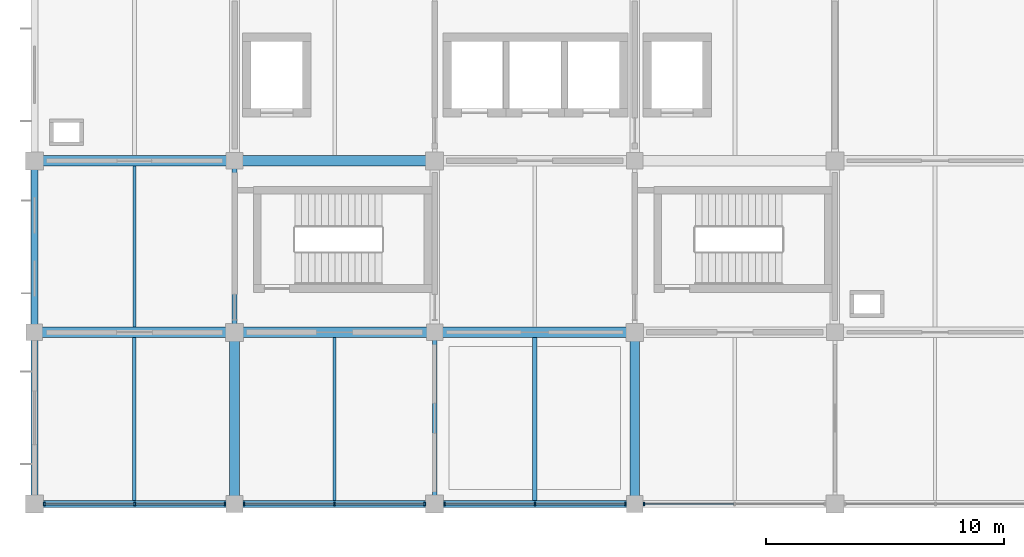
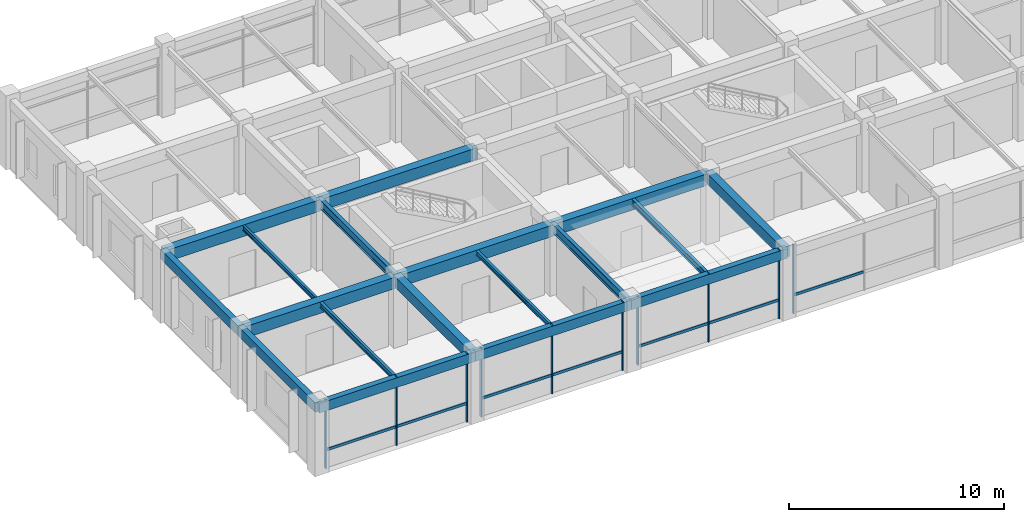
# One storey, part 2 of 13: 18 beams, 17 members, 4 elements without a shape of their own.
"""IFC4 building model written with IfcOpenShell, lengths in metres."""

from ifc_helpers import new_model, si_unit, derived_unit, direction, frame, origin, origin_2d, place, context, subcontext, project, spatial, rectangle, i_section, extrude, material, material_profile, profile_set, type_object, element, aggregate, save


model = new_model("IFC4")

# Units and contexts
model_context = context("Model", 3, precision=1e-05, world=origin(), true_north=direction((0.0, 1.0)))
body_context = subcontext(model_context, "Body", "Model", "MODEL_VIEW")
ifc_project = project(units=[si_unit("LENGTHUNIT", "METRE"), si_unit("AREAUNIT", "SQUARE_METRE"), si_unit("VOLUMEUNIT", "CUBIC_METRE"), si_unit("PLANEANGLEUNIT", "RADIAN"), si_unit("MASSUNIT", "GRAM", prefix="KILO"), derived_unit("THERMALTRANSMITTANCEUNIT", [(si_unit("MASSUNIT", "GRAM", prefix="KILO"), 1), (si_unit("TIMEUNIT", "SECOND"), -3), (si_unit("THERMODYNAMICTEMPERATUREUNIT", "KELVIN"), -1)])], contexts=[model_context])

# Site, building, storey
site_placement = place(None, origin())
site = spatial("IfcSite", under=ifc_project, at=site_placement, CompositionType="ELEMENT")
building_placement = place(site_placement, origin())
building = spatial("IfcBuilding", under=site, at=building_placement, Name="Veldstrom Oceanarium and Marine Research Institute", CompositionType="ELEMENT")
storey_placement = place(building_placement, frame((0.0, 0.0, 31.199951171875)))
storey = spatial("IfcBuildingStorey", under=building, at=storey_placement, Name="L06", CompositionType="ELEMENT", Elevation=31.199951171875)

# Curtain wall, members
ifc_material_1 = material(Name="Anodised Aluminium Framing", Category="aluminium")
curtain_wall_type = type_object("IfcCurtainWallType", Name="ARC-CW-CW04", PredefinedType="USERDEFINED", material=ifc_material_1)
curtain_wall_1_placement = place(storey_placement, origin())
curtain_wall_1 = element("IfcCurtainWall", 1, at=curtain_wall_1_placement, inside=storey, type_object=curtain_wall_type, Name="Curtain Wall CW04 CW-L06-100", ObjectType="Curtain wall", PredefinedType="USERDEFINED")
ifc_material_2 = material(Name="Anodised Aluminium Framing", Category="aluminium")
ifc_material_profile_1 = material_profile(ifc_material_2, rectangle(XDim=0.06494140625, YDim=0.14990234375, at=origin_2d()), Name="ALU-MUL-65x150")
ifc_profile_set_1 = profile_set([ifc_material_profile_1], Name="Anodised Aluminium Framing")
member_type_1 = type_object("IfcMemberType", Name="ARC-MUL-ML2", PredefinedType="MULLION", material=ifc_profile_set_1)
member_1_placement = place(storey_placement, frame((67.614990234375, 43.199951171875, 0.0), z_axis=(0.0, 0.0, 1.0), x_axis=(1.0, 0.0, 0.0)))
member_1 = element("IfcMember", 2, at=member_1_placement, type_object=member_type_1, Name="Curtain Wall Mullion CW-L06-100-MUL-1", PredefinedType="MULLION", context=body_context, shape_type="SweptSolid", body=[
    extrude(rectangle(XDim=0.06494140625, YDim=0.14990234375, at=origin_2d()), origin(), (0.0, 0.0, 1.0), 3.920166015625),
])
member_2_placement = place(storey_placement, frame((71.41259765625, 43.199951171875, 0.0), z_axis=(0.0, 0.0, 1.0), x_axis=(1.0, 0.0, 0.0)))
member_2 = element("IfcMember", 3, at=member_2_placement, type_object=member_type_1, Name="Curtain Wall Mullion CW-L06-100-MUL-2", PredefinedType="MULLION", context=body_context, shape_type="SweptSolid", body=[
    extrude(rectangle(XDim=0.06494140625, YDim=0.14990234375, at=origin_2d()), origin(), (0.0, 0.0, 1.0), 3.920166015625),
])
member_3_placement = place(storey_placement, frame((75.2099609375, 43.199951171875, 0.0), z_axis=(0.0, 0.0, 1.0), x_axis=(1.0, 0.0, 0.0)))
member_3 = element("IfcMember", 4, at=member_3_placement, type_object=member_type_1, Name="Curtain Wall Mullion CW-L06-100-MUL-3", PredefinedType="MULLION", context=body_context, shape_type="SweptSolid", body=[
    extrude(rectangle(XDim=0.06494140625, YDim=0.14990234375, at=origin_2d()), origin(), (0.0, 0.0, 1.0), 3.920166015625),
])

curtain_wall_2_placement = place(storey_placement, origin())
curtain_wall_2 = element("IfcCurtainWall", 5, at=curtain_wall_2_placement, inside=storey, type_object=curtain_wall_type, Name="Curtain Wall CW04 CW-L06-102", ObjectType="Curtain wall", PredefinedType="USERDEFINED")
member_4_placement = place(storey_placement, frame((75.989990234375, 43.199951171875, 0.0), z_axis=(0.0, 0.0, 1.0), x_axis=(1.0, 0.0, 0.0)))
member_4 = element("IfcMember", 6, at=member_4_placement, type_object=member_type_1, Name="Curtain Wall Mullion CW-L06-102-MUL-1", PredefinedType="MULLION", context=body_context, shape_type="SweptSolid", body=[
    extrude(rectangle(XDim=0.06494140625, YDim=0.14990234375, at=origin_2d()), origin(), (0.0, 0.0, 1.0), 3.920166015625),
])
member_5_placement = place(storey_placement, frame((79.78759765625, 43.199951171875, 0.0), z_axis=(0.0, 0.0, 1.0), x_axis=(1.0, 0.0, 0.0)))
member_5 = element("IfcMember", 7, at=member_5_placement, type_object=member_type_1, Name="Curtain Wall Mullion CW-L06-102-MUL-2", PredefinedType="MULLION", context=body_context, shape_type="SweptSolid", body=[
    extrude(rectangle(XDim=0.06494140625, YDim=0.14990234375, at=origin_2d()), origin(), (0.0, 0.0, 1.0), 3.920166015625),
])
member_6_placement = place(storey_placement, frame((83.5849609375, 43.199951171875, 0.0), z_axis=(0.0, 0.0, 1.0), x_axis=(1.0, 0.0, 0.0)))
member_6 = element("IfcMember", 8, at=member_6_placement, type_object=member_type_1, Name="Curtain Wall Mullion CW-L06-102-MUL-3", PredefinedType="MULLION", context=body_context, shape_type="SweptSolid", body=[
    extrude(rectangle(XDim=0.06494140625, YDim=0.14990234375, at=origin_2d()), origin(), (0.0, 0.0, 1.0), 3.920166015625),
])

curtain_wall_3_placement = place(storey_placement, origin())
curtain_wall_3 = element("IfcCurtainWall", 9, at=curtain_wall_3_placement, inside=storey, type_object=curtain_wall_type, Name="Curtain Wall CW04 CW-L06-104", ObjectType="Curtain wall", PredefinedType="USERDEFINED")
member_7_placement = place(storey_placement, frame((84.4150390625, 43.199951171875, 0.0), z_axis=(0.0, 0.0, 1.0), x_axis=(1.0, 0.0, 0.0)))
member_7 = element("IfcMember", 10, at=member_7_placement, type_object=member_type_1, Name="Curtain Wall Mullion CW-L06-104-MUL-1", PredefinedType="MULLION", context=body_context, shape_type="SweptSolid", body=[
    extrude(rectangle(XDim=0.06494140625, YDim=0.14990234375, at=origin_2d()), origin(), (0.0, 0.0, 1.0), 3.920166015625),
])
member_8_placement = place(storey_placement, frame((88.21240234375, 43.199951171875, 0.0), z_axis=(0.0, 0.0, 1.0), x_axis=(1.0, 0.0, 0.0)))
member_8 = element("IfcMember", 11, at=member_8_placement, type_object=member_type_1, Name="Curtain Wall Mullion CW-L06-104-MUL-2", PredefinedType="MULLION", context=body_context, shape_type="SweptSolid", body=[
    extrude(rectangle(XDim=0.06494140625, YDim=0.14990234375, at=origin_2d()), origin(), (0.0, 0.0, 1.0), 3.920166015625),
])
member_9_placement = place(storey_placement, frame((92.010009765625, 43.199951171875, 0.0), z_axis=(0.0, 0.0, 1.0), x_axis=(1.0, 0.0, 0.0)))
member_9 = element("IfcMember", 12, at=member_9_placement, type_object=member_type_1, Name="Curtain Wall Mullion CW-L06-104-MUL-3", PredefinedType="MULLION", context=body_context, shape_type="SweptSolid", body=[
    extrude(rectangle(XDim=0.06494140625, YDim=0.14990234375, at=origin_2d()), origin(), (0.0, 0.0, 1.0), 3.920166015625),
])

# Curtain wall, member
curtain_wall_4_placement = place(storey_placement, origin())
curtain_wall_4 = element("IfcCurtainWall", 13, at=curtain_wall_4_placement, inside=storey, type_object=curtain_wall_type, Name="Curtain Wall CW04 CW-L06-106", ObjectType="Curtain wall", PredefinedType="USERDEFINED")
member_10_placement = place(storey_placement, frame((92.7900390625, 43.199951171875, 0.0), z_axis=(0.0, 0.0, 1.0), x_axis=(1.0, 0.0, 0.0)))
member_10 = element("IfcMember", 14, at=member_10_placement, type_object=member_type_1, Name="Curtain Wall Mullion CW-L06-106-MUL-1", PredefinedType="MULLION", context=body_context, shape_type="SweptSolid", body=[
    extrude(rectangle(XDim=0.06494140625, YDim=0.14990234375, at=origin_2d()), origin(), (0.0, 0.0, 1.0), 3.920166015625),
])

# Member
ifc_material_3 = material(Name="Anodised Aluminium Framing", Category="aluminium")
ifc_material_profile_2 = material_profile(ifc_material_3, rectangle(XDim=0.074951171875, YDim=0.14990234375, at=origin_2d()), Name="ALU-TRN-75x150")
ifc_profile_set_2 = profile_set([ifc_material_profile_2], Name="Anodised Aluminium Framing")
member_type_2 = type_object("IfcMemberType", Name="ARC-TRN-TR1", PredefinedType="USERDEFINED", material=ifc_profile_set_2)
member_11_placement = place(storey_placement, frame((67.655029296875, 43.199951171875, 1.050048828125), z_axis=(1.0, 0.0, 0.0), x_axis=(0.0, 1.0, 0.0)))
member_11 = element("IfcMember", 15, at=member_11_placement, type_object=member_type_2, Name="Curtain Wall Transom CW-L06-100-TRN-1", ObjectType="Transom", PredefinedType="USERDEFINED", context=body_context, shape_type="SweptSolid", body=[
    extrude(rectangle(XDim=0.074951171875, YDim=0.14990234375, at=origin_2d()), origin(), (0.0, 0.0, 1.0), 3.717529296875),
])

member_12_placement = place(storey_placement, frame((71.452392578125, 43.199951171875, 1.050048828125), z_axis=(1.0, 0.0, 0.0), x_axis=(0.0, 1.0, 0.0)))
member_12 = element("IfcMember", 16, at=member_12_placement, type_object=member_type_2, Name="Curtain Wall Transom CW-L06-100-TRN-2", ObjectType="Transom", PredefinedType="USERDEFINED", context=body_context, shape_type="SweptSolid", body=[
    extrude(rectangle(XDim=0.074951171875, YDim=0.14990234375, at=origin_2d()), origin(), (0.0, 0.0, 1.0), 3.717529296875),
])

aggregate(curtain_wall_1, [member_1, member_2, member_3, member_11, member_12])

member_13_placement = place(storey_placement, frame((76.030029296875, 43.199951171875, 1.050048828125), z_axis=(1.0, 0.0, 0.0), x_axis=(0.0, 1.0, 0.0)))
member_13 = element("IfcMember", 17, at=member_13_placement, type_object=member_type_2, Name="Curtain Wall Transom CW-L06-102-TRN-1", ObjectType="Transom", PredefinedType="USERDEFINED", context=body_context, shape_type="SweptSolid", body=[
    extrude(rectangle(XDim=0.074951171875, YDim=0.14990234375, at=origin_2d()), origin(), (0.0, 0.0, 1.0), 3.717529296875),
])

member_14_placement = place(storey_placement, frame((79.827392578125, 43.199951171875, 1.050048828125), z_axis=(1.0, 0.0, 0.0), x_axis=(0.0, 1.0, 0.0)))
member_14 = element("IfcMember", 18, at=member_14_placement, type_object=member_type_2, Name="Curtain Wall Transom CW-L06-102-TRN-2", ObjectType="Transom", PredefinedType="USERDEFINED", context=body_context, shape_type="SweptSolid", body=[
    extrude(rectangle(XDim=0.074951171875, YDim=0.14990234375, at=origin_2d()), origin(), (0.0, 0.0, 1.0), 3.717529296875),
])

aggregate(curtain_wall_2, [member_4, member_5, member_6, member_13, member_14])

member_15_placement = place(storey_placement, frame((84.455078125, 43.199951171875, 1.050048828125), z_axis=(1.0, 0.0, 0.0), x_axis=(0.0, 1.0, 0.0)))
member_15 = element("IfcMember", 19, at=member_15_placement, type_object=member_type_2, Name="Curtain Wall Transom CW-L06-104-TRN-1", ObjectType="Transom", PredefinedType="USERDEFINED", context=body_context, shape_type="SweptSolid", body=[
    extrude(rectangle(XDim=0.074951171875, YDim=0.14990234375, at=origin_2d()), origin(), (0.0, 0.0, 1.0), 3.717529296875),
])

member_16_placement = place(storey_placement, frame((88.25244140625, 43.199951171875, 1.050048828125), z_axis=(1.0, 0.0, 0.0), x_axis=(0.0, 1.0, 0.0)))
member_16 = element("IfcMember", 20, at=member_16_placement, type_object=member_type_2, Name="Curtain Wall Transom CW-L06-104-TRN-2", ObjectType="Transom", PredefinedType="USERDEFINED", context=body_context, shape_type="SweptSolid", body=[
    extrude(rectangle(XDim=0.074951171875, YDim=0.14990234375, at=origin_2d()), origin(), (0.0, 0.0, 1.0), 3.717529296875),
])

aggregate(curtain_wall_3, [member_7, member_8, member_9, member_15, member_16])

member_17_placement = place(storey_placement, frame((92.830078125, 43.199951171875, 1.050048828125), z_axis=(1.0, 0.0, 0.0), x_axis=(0.0, 1.0, 0.0)))
member_17 = element("IfcMember", 21, at=member_17_placement, type_object=member_type_2, Name="Curtain Wall Transom CW-L06-106-TRN-1", ObjectType="Transom", PredefinedType="USERDEFINED", context=body_context, shape_type="SweptSolid", body=[
    extrude(rectangle(XDim=0.074951171875, YDim=0.14990234375, at=origin_2d()), origin(), (0.0, 0.0, 1.0), 3.717529296875),
])

aggregate(curtain_wall_4, [member_10, member_17])

# Beams
ifc_material_4 = material(Name="Concrete C40/50", Category="concrete")
ifc_material_profile_3 = material_profile(ifc_material_4, rectangle(XDim=0.449951171875, YDim=0.64990234375, at=origin_2d()), Name="RC-BM-450x650")
ifc_profile_set_3 = profile_set([ifc_material_profile_3], Name="Concrete C40/50")
beam_type_1 = type_object("IfcBeamType", Name="STR-BM-B05", PredefinedType="BEAM", material=ifc_profile_set_3)
for number, where, z_axis, x_axis, name in (
    (22, (67.199951171875, 50.39990234375, 3.590087890625), (1.0, 0.0, 0.0), (0.0, 1.0, 0.0), "Primary Beam B05 L06-2254"),
    (23, (67.199951171875, 57.60009765625, 3.590087890625), (1.0, 0.0, 0.0), (0.0, 1.0, 0.0), "Primary Beam B05 L06-2255"),
):
    element("IfcBeam", number, at=place(storey_placement, frame(where, z_axis=z_axis, x_axis=x_axis)), inside=storey, type_object=beam_type_1, Name=name, PredefinedType="BEAM", context=body_context, shape_type="SweptSolid", body=[
        extrude(rectangle(XDim=0.449951171875, YDim=0.64990234375, at=origin_2d()), origin(), (0.0, 0.0, 1.0), 8.400146484375),
    ])
for number, where, z_axis, x_axis, name in (
    (24, (75.60009765625, 50.39990234375, 3.590087890625), (1.0, 0.0, 0.0), (0.0, 1.0, 0.0), "Primary Beam B05 L06-2259"),
    (25, (75.60009765625, 57.60009765625, 3.590087890625), (1.0, 0.0, 0.0), (0.0, 1.0, 0.0), "Primary Beam B05 L06-2260"),
    (26, (84.0, 50.39990234375, 3.590087890625), (1.0, 0.0, 0.0), (0.0, 1.0, 0.0), "Primary Beam B05 L06-2264"),
):
    element("IfcBeam", number, at=place(storey_placement, frame(where, z_axis=z_axis, x_axis=x_axis)), inside=storey, type_object=beam_type_1, Name=name, PredefinedType="BEAM", context=body_context, shape_type="SweptSolid", body=[
        extrude(rectangle(XDim=0.449951171875, YDim=0.64990234375, at=origin_2d()), origin(), (0.0, 0.0, 1.0), 8.39990234375),
    ])
ifc_material_5 = material(Name="Concrete C40/50", Category="concrete")
ifc_material_profile_4 = material_profile(ifc_material_5, rectangle(XDim=0.39990234375, YDim=0.60009765625, at=origin_2d()), Name="RC-BM-400x600")
ifc_profile_set_4 = profile_set([ifc_material_profile_4], Name="Concrete C40/50")
beam_type_2 = type_object("IfcBeamType", Name="STR-BM-B06", PredefinedType="BEAM", material=ifc_profile_set_4)
for number, where, z_axis, x_axis, name in (
    (27, (75.60009765625, 43.199951171875, 3.614990234375), (0.0, 1.0, 0.0), (-1.0, 0.0, 0.0), "Primary Beam B06 L06-2287"),
    (28, (92.39990234375, 43.199951171875, 3.614990234375), (0.0, 1.0, 0.0), (-1.0, 0.0, 0.0), "Primary Beam B06 L06-2295"),
):
    element("IfcBeam", number, at=place(storey_placement, frame(where, z_axis=z_axis, x_axis=x_axis)), inside=storey, type_object=beam_type_2, Name=name, PredefinedType="BEAM", context=body_context, shape_type="SweptSolid", body=[
        extrude(rectangle(XDim=0.39990234375, YDim=0.60009765625, at=origin_2d()), origin(), (0.0, 0.0, 1.0), 7.199951171875),
    ])
ifc_material_6 = material(Name="Steel S355JR", Category="steel")
ifc_material_profile_5 = material_profile(ifc_material_6, i_section(OverallWidth=0.199951171875, OverallDepth=0.5, WebThickness=0.01025390625, FlangeThickness=0.01611328125, FilletRadius=0.02099609375, at=origin_2d()), Name="IPE 500")
ifc_profile_set_5 = profile_set([ifc_material_profile_5], Name="Steel S355JR")
beam_type_3 = type_object("IfcBeamType", Name="STR-BM-SB6", PredefinedType="BEAM", material=ifc_profile_set_5)
beam_1_placement = place(storey_placement, frame((75.60009765625, 50.39990234375, 3.6650390625), z_axis=(0.0, 1.0, 0.0), x_axis=(-1.0, 0.0, 0.0)))
element("IfcBeam", 29, at=beam_1_placement, inside=storey, type_object=beam_type_3, Name="Steel Tie Beam SB6 L06-2288", PredefinedType="BEAM", context=body_context, shape_type="SweptSolid", body=[
    extrude(i_section(OverallWidth=0.199951171875, OverallDepth=0.5, WebThickness=0.01025390625, FlangeThickness=0.01611328125, FilletRadius=0.02099609375, at=origin_2d()), origin(), (0.0, 0.0, 1.0), 7.2001953125),
])
beam_2_placement = place(storey_placement, frame((84.0, 43.199951171875, 3.6650390625), z_axis=(0.0, 1.0, 0.0), x_axis=(-1.0, 0.0, 0.0)))
element("IfcBeam", 30, at=beam_2_placement, inside=storey, type_object=beam_type_3, Name="Steel Tie Beam SB6 L06-2291", PredefinedType="BEAM", context=body_context, shape_type="SweptSolid", body=[
    extrude(i_section(OverallWidth=0.199951171875, OverallDepth=0.5, WebThickness=0.01025390625, FlangeThickness=0.01611328125, FilletRadius=0.02099609375, at=origin_2d()), origin(), (0.0, 0.0, 1.0), 7.199951171875),
])
ifc_material_7 = material(Name="Steel S355JR", Category="steel")
ifc_material_profile_6 = material_profile(ifc_material_7, i_section(OverallWidth=0.169921875, OverallDepth=0.360107421875, WebThickness=0.008056640625, FlangeThickness=0.0126953125, FilletRadius=0.01806640625, at=origin_2d()), Name="IPE 360")
ifc_profile_set_6 = profile_set([ifc_material_profile_6], Name="Steel S355JR")
beam_type_4 = type_object("IfcBeamType", Name="STR-JST-SJ1", PredefinedType="JOIST", material=ifc_profile_set_6)
beam_3_placement = place(storey_placement, frame((88.199951171875, 43.35009765625, 3.735107421875), z_axis=(0.0, 1.0, 0.0), x_axis=(-1.0, 0.0, 0.0)))
element("IfcBeam", 31, at=beam_3_placement, inside=storey, type_object=beam_type_4, Name="Secondary Joist SJ1 L06-2318", PredefinedType="JOIST", context=body_context, shape_type="SweptSolid", body=[
    extrude(i_section(OverallWidth=0.169921875, OverallDepth=0.360107421875, WebThickness=0.008056640625, FlangeThickness=0.0126953125, FilletRadius=0.01806640625, at=origin_2d()), origin(), (0.0, 0.0, 1.0), 6.824951171875),
])
ifc_material_8 = material(Name="Steel S355JR", Category="steel")
ifc_material_profile_7 = material_profile(ifc_material_8, i_section(OverallWidth=0.14990234375, OverallDepth=0.300048828125, WebThickness=0.007080078125, FlangeThickness=0.0107421875, FilletRadius=0.014892578125, at=origin_2d()), Name="IPE 300")
ifc_profile_set_7 = profile_set([ifc_material_profile_7], Name="Steel S355JR")
beam_type_5 = type_object("IfcBeamType", Name="STR-JST-SJ2", PredefinedType="JOIST", material=ifc_profile_set_7)
beam_4_placement = place(storey_placement, frame((71.39990234375, 43.35009765625, 3.76513671875), z_axis=(0.0, 1.0, 0.0), x_axis=(-1.0, 0.0, 0.0)))
element("IfcBeam", 32, at=beam_4_placement, inside=storey, type_object=beam_type_5, Name="Secondary Joist SJ2 L06-2311", PredefinedType="JOIST", context=body_context, shape_type="SweptSolid", body=[
    extrude(i_section(OverallWidth=0.14990234375, OverallDepth=0.300048828125, WebThickness=0.007080078125, FlangeThickness=0.0107421875, FilletRadius=0.014892578125, at=origin_2d()), origin(), (0.0, 0.0, 1.0), 6.824951171875),
])
ifc_material_9 = material(Name="Steel S355JR", Category="steel")
ifc_material_profile_8 = material_profile(ifc_material_9, i_section(OverallWidth=0.135009765625, OverallDepth=0.27001953125, WebThickness=0.006591796875, FlangeThickness=0.01025390625, FilletRadius=0.014892578125, at=origin_2d()), Name="IPE 270")
ifc_profile_set_8 = profile_set([ifc_material_profile_8], Name="Steel S355JR")
beam_type_6 = type_object("IfcBeamType", Name="STR-JST-SJ3", PredefinedType="JOIST", material=ifc_profile_set_8)
beam_5_placement = place(storey_placement, frame((71.39990234375, 50.625, 3.780029296875), z_axis=(0.0, 1.0, 0.0), x_axis=(-1.0, 0.0, 0.0)))
element("IfcBeam", 33, at=beam_5_placement, inside=storey, type_object=beam_type_6, Name="Secondary Joist SJ3 L06-2312", PredefinedType="JOIST", context=body_context, shape_type="SweptSolid", body=[
    extrude(i_section(OverallWidth=0.135009765625, OverallDepth=0.27001953125, WebThickness=0.006591796875, FlangeThickness=0.01025390625, FilletRadius=0.014892578125, at=origin_2d()), origin(), (0.0, 0.0, 1.0), 6.75),
])
beam_6_placement = place(storey_placement, frame((79.800048828125, 43.35009765625, 3.780029296875), z_axis=(0.0, 1.0, 0.0), x_axis=(-1.0, 0.0, 0.0)))
element("IfcBeam", 34, at=beam_6_placement, inside=storey, type_object=beam_type_6, Name="Secondary Joist SJ3 L06-2315", PredefinedType="JOIST", context=body_context, shape_type="SweptSolid", body=[
    extrude(i_section(OverallWidth=0.135009765625, OverallDepth=0.27001953125, WebThickness=0.006591796875, FlangeThickness=0.01025390625, FilletRadius=0.014892578125, at=origin_2d()), origin(), (0.0, 0.0, 1.0), 6.824951171875),
])
ifc_material_10 = material(Name="Concrete C40/50", Category="concrete")
ifc_material_profile_9 = material_profile(ifc_material_10, rectangle(XDim=0.300048828125, YDim=0.550048828125, at=origin_2d()), Name="RC-SPN-300x550")
ifc_profile_set_9 = profile_set([ifc_material_profile_9], Name="Concrete C40/50")
beam_type_7 = type_object("IfcBeamType", Name="STR-SPN-SP2", PredefinedType="SPANDREL", material=ifc_profile_set_9)
beam_7_placement = place(storey_placement, frame((67.199951171875, 43.199951171875, 3.64013671875), z_axis=(1.0, 0.0, 0.0), x_axis=(0.0, 1.0, 0.0)))
element("IfcBeam", 35, at=beam_7_placement, inside=storey, type_object=beam_type_7, Name="Perimeter Spandrel SPB2 L06-2253", PredefinedType="SPANDREL", context=body_context, shape_type="SweptSolid", body=[
    extrude(rectangle(XDim=0.300048828125, YDim=0.550048828125, at=origin_2d()), origin(), (0.0, 0.0, 1.0), 8.400146484375),
])
for number, where, z_axis, x_axis, name in (
    (36, (75.60009765625, 43.199951171875, 3.64013671875), (1.0, 0.0, 0.0), (0.0, 1.0, 0.0), "Perimeter Spandrel SPB2 L06-2258"),
    (37, (84.0, 43.199951171875, 3.64013671875), (1.0, 0.0, 0.0), (0.0, 1.0, 0.0), "Perimeter Spandrel SPB2 L06-2263"),
):
    element("IfcBeam", number, at=place(storey_placement, frame(where, z_axis=z_axis, x_axis=x_axis)), inside=storey, type_object=beam_type_7, Name=name, PredefinedType="SPANDREL", context=body_context, shape_type="SweptSolid", body=[
        extrude(rectangle(XDim=0.300048828125, YDim=0.550048828125, at=origin_2d()), origin(), (0.0, 0.0, 1.0), 8.39990234375),
    ])
beam_8_placement = place(storey_placement, frame((67.199951171875, 43.199951171875, 3.64013671875), z_axis=(0.0, 1.0, 0.0), x_axis=(-1.0, 0.0, 0.0)))
element("IfcBeam", 38, at=beam_8_placement, inside=storey, type_object=beam_type_7, Name="Perimeter Spandrel SPB2 L06-2283", PredefinedType="SPANDREL", context=body_context, shape_type="SweptSolid", body=[
    extrude(rectangle(XDim=0.300048828125, YDim=0.550048828125, at=origin_2d()), origin(), (0.0, 0.0, 1.0), 7.199951171875),
])
beam_9_placement = place(storey_placement, frame((67.199951171875, 50.39990234375, 3.64013671875), z_axis=(0.0, 1.0, 0.0), x_axis=(-1.0, 0.0, 0.0)))
element("IfcBeam", 39, at=beam_9_placement, inside=storey, type_object=beam_type_7, Name="Perimeter Spandrel SPB2 L06-2284", PredefinedType="SPANDREL", context=body_context, shape_type="SweptSolid", body=[
    extrude(rectangle(XDim=0.300048828125, YDim=0.550048828125, at=origin_2d()), origin(), (0.0, 0.0, 1.0), 7.2001953125),
])

save(model, "model.ifc")
